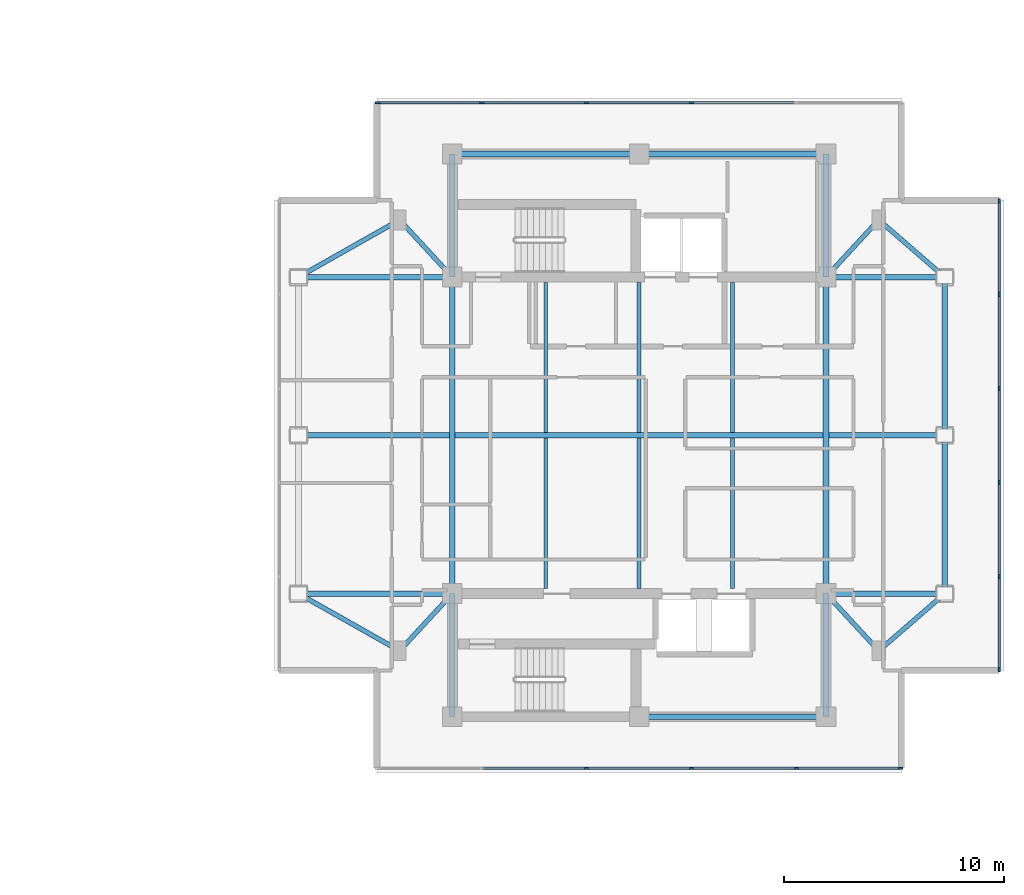
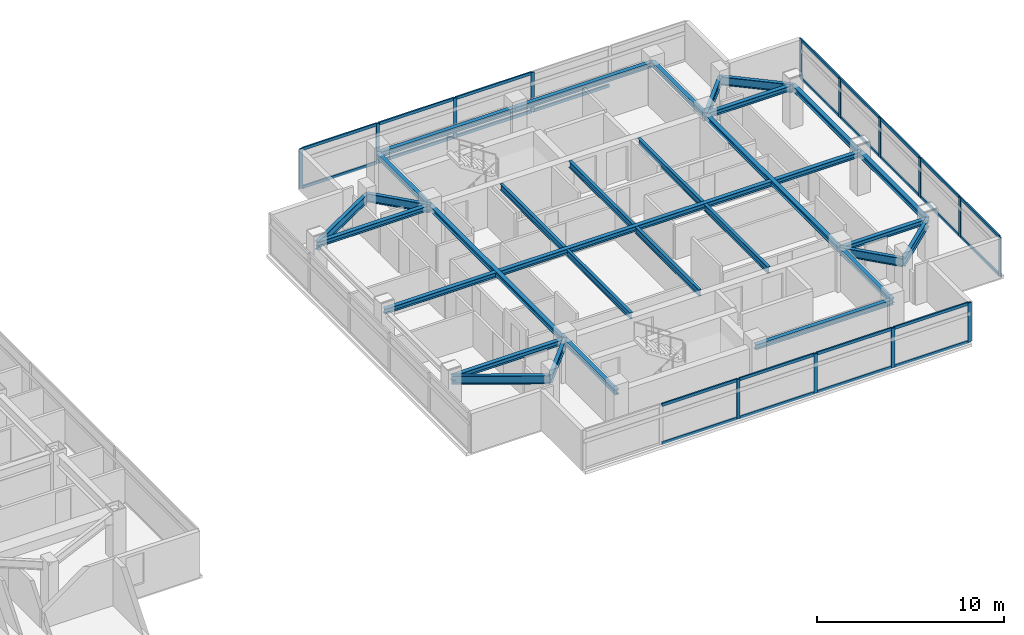
# One storey, part 8 of 21: 39 members, 32 beams, 3 elements without a shape of their own.
"""IFC4 building model written with IfcOpenShell, lengths in metres."""

from ifc_helpers import new_model, si_unit, direction, frame, origin, origin_2d, place, context, subcontext, project, spatial, rectangle, i_section, extrude, material, material_profile, profile_set, type_object, element, aggregate, save


model = new_model("IFC4")

# Units and contexts
model_context = context("Model", 3, precision=1e-05, world=origin(), true_north=direction((0.0, 1.0)))
body_context = subcontext(model_context, "Body", "Model", "MODEL_VIEW")
ifc_project = project(units=[si_unit("LENGTHUNIT", "METRE"), si_unit("AREAUNIT", "SQUARE_METRE"), si_unit("VOLUMEUNIT", "CUBIC_METRE"), si_unit("PLANEANGLEUNIT", "RADIAN"), si_unit("MASSUNIT", "GRAM", prefix="KILO")], contexts=[model_context])

# Site, building, storey
site_placement = place(None, origin())
site = spatial("IfcSite", under=ifc_project, at=site_placement, CompositionType="ELEMENT")
building_placement = place(site_placement, origin())
building = spatial("IfcBuilding", under=site, at=building_placement, Name="Mirazonda Arch Towers", CompositionType="ELEMENT")
storey_placement = place(building_placement, frame((0.0, 0.0, 206.39990234375)))
storey = spatial("IfcBuildingStorey", under=building, at=storey_placement, Name="L59", CompositionType="ELEMENT", Elevation=206.39990234375)

# Beams
ifc_material_1 = material(Name="Steel ASTM A992 Grade 50", Category="steel")
ifc_material_profile_1 = material_profile(ifc_material_1, i_section(OverallWidth=0.257080078125, OverallDepth=0.330078125, WebThickness=0.011962890625, FlangeThickness=0.01953125, at=origin_2d()), Name="W10X68")
ifc_profile_set_1 = profile_set([ifc_material_profile_1], Name="Steel ASTM A992 Grade 50")
beam_type_1 = type_object("IfcBeamType", Name="BM-INT-W10X68", PredefinedType="BEAM", material=ifc_profile_set_1)
beam_1_placement = place(storey_placement, frame((61.0, 35.199951171875, 2.43505859375), z_axis=(1.0, 0.0, 0.0), x_axis=(0.0, 1.0, 0.0)))
element("IfcBeam", 1, at=beam_1_placement, inside=storey, type_object=beam_type_1, Name="L59 Floor Beam CBC-T2-L59-NW", PredefinedType="BEAM", context=body_context, shape_type="SweptSolid", body=[
    extrude(i_section(OverallWidth=0.257080078125, OverallDepth=0.330078125, WebThickness=0.011962890625, FlangeThickness=0.01953125, at=origin_2d()), origin(), (0.0, 0.0, 1.0), 7.0),
])
beam_2_placement = place(storey_placement, frame((85.0, 35.199951171875, 2.43505859375), z_axis=(1.0, 0.0, 0.0), x_axis=(0.0, 1.0, 0.0)))
element("IfcBeam", 2, at=beam_2_placement, inside=storey, type_object=beam_type_1, Name="L59 Floor Beam CBC-T2-L59-NE", PredefinedType="BEAM", context=body_context, shape_type="SweptSolid", body=[
    extrude(i_section(OverallWidth=0.257080078125, OverallDepth=0.330078125, WebThickness=0.011962890625, FlangeThickness=0.01953125, at=origin_2d()), origin(), (0.0, 0.0, 1.0), 5.39990234375),
])
beam_3_placement = place(storey_placement, frame((61.0, 20.800048828125, 2.43505859375), z_axis=(1.0, 0.0, 0.0), x_axis=(0.0, 1.0, 0.0)))
element("IfcBeam", 3, at=beam_3_placement, inside=storey, type_object=beam_type_1, Name="L59 Floor Beam CBC-T2-L59-SW", PredefinedType="BEAM", context=body_context, shape_type="SweptSolid", body=[
    extrude(i_section(OverallWidth=0.257080078125, OverallDepth=0.330078125, WebThickness=0.011962890625, FlangeThickness=0.01953125, at=origin_2d()), origin(), (0.0, 0.0, 1.0), 7.0),
])
beam_4_placement = place(storey_placement, frame((85.0, 20.800048828125, 2.43505859375), z_axis=(1.0, 0.0, 0.0), x_axis=(0.0, 1.0, 0.0)))
element("IfcBeam", 4, at=beam_4_placement, inside=storey, type_object=beam_type_1, Name="L59 Floor Beam CBC-T2-L59-SE", PredefinedType="BEAM", context=body_context, shape_type="SweptSolid", body=[
    extrude(i_section(OverallWidth=0.257080078125, OverallDepth=0.330078125, WebThickness=0.011962890625, FlangeThickness=0.01953125, at=origin_2d()), origin(), (0.0, 0.0, 1.0), 5.39990234375),
])
beam_5_placement = place(storey_placement, frame((68.12841796875, 28.0, 2.43505859375), z_axis=(1.0, 0.0, 0.0), x_axis=(0.0, 1.0, 0.0)))
element("IfcBeam", 5, at=beam_5_placement, inside=storey, type_object=beam_type_1, Name="L59 Floor Beam BMT-T2-L59-GC2", PredefinedType="BEAM", context=body_context, shape_type="SweptSolid", body=[
    extrude(i_section(OverallWidth=0.257080078125, OverallDepth=0.330078125, WebThickness=0.011962890625, FlangeThickness=0.01953125, at=origin_2d()), origin(), (0.0, 0.0, 1.0), 16.7431640625),
])
for number, where, z_axis, x_axis, name in (
    (6, (76.5, 15.199951171875, 2.43505859375), (1.0, 0.0, 0.0), (0.0, 1.0, 0.0), "L59 Floor Beam BMT-T2-L59-CS2"),
    (7, (68.0, 40.800048828125, 2.43505859375), (1.0, 0.0, 0.0), (0.0, 1.0, 0.0), "L59 Floor Beam BMT-T2-L59-CN1"),
    (8, (76.5, 40.800048828125, 2.43505859375), (1.0, 0.0, 0.0), (0.0, 1.0, 0.0), "L59 Floor Beam BMT-T2-L59-CN2"),
):
    element("IfcBeam", number, at=place(storey_placement, frame(where, z_axis=z_axis, x_axis=x_axis)), inside=storey, type_object=beam_type_1, Name=name, PredefinedType="BEAM", context=body_context, shape_type="SweptSolid", body=[
        extrude(i_section(OverallWidth=0.257080078125, OverallDepth=0.330078125, WebThickness=0.011962890625, FlangeThickness=0.01953125, at=origin_2d()), origin(), (0.0, 0.0, 1.0), 8.5),
    ])
for number, where, z_axis, x_axis, name in (
    (9, (68.0, 15.199951171875, 2.43505859375), (0.0, 1.0, 0.0), (-1.0, 0.0, 0.0), "L59 Floor Beam BMT-T2-L59-CSW"),
    (10, (85.0, 15.199951171875, 2.43505859375), (0.0, 1.0, 0.0), (-1.0, 0.0, 0.0), "L59 Floor Beam BMT-T2-L59-CSE"),
    (11, (68.0, 35.199951171875, 2.43505859375), (0.0, 1.0, 0.0), (-1.0, 0.0, 0.0), "L59 Floor Beam BMT-T2-L59-CNW"),
    (12, (85.0, 35.199951171875, 2.43505859375), (0.0, 1.0, 0.0), (-1.0, 0.0, 0.0), "L59 Floor Beam BMT-T2-L59-CNE"),
):
    element("IfcBeam", number, at=place(storey_placement, frame(where, z_axis=z_axis, x_axis=x_axis)), inside=storey, type_object=beam_type_1, Name=name, PredefinedType="BEAM", context=body_context, shape_type="SweptSolid", body=[
        extrude(i_section(OverallWidth=0.257080078125, OverallDepth=0.330078125, WebThickness=0.011962890625, FlangeThickness=0.01953125, at=origin_2d()), origin(), (0.0, 0.0, 1.0), 5.60009765625),
    ])
beam_6_placement = place(storey_placement, frame((61.0, 28.0, 2.43505859375), z_axis=(1.0, 0.0, 0.0), x_axis=(0.0, 1.0, 0.0)))
element("IfcBeam", 13, at=beam_6_placement, inside=storey, type_object=beam_type_1, Name="L59 Floor Beam BMT-T2-L59-GW2", PredefinedType="BEAM", context=body_context, shape_type="SweptSolid", body=[
    extrude(i_section(OverallWidth=0.257080078125, OverallDepth=0.330078125, WebThickness=0.011962890625, FlangeThickness=0.01953125, at=origin_2d()), origin(), (0.0, 0.0, 1.0), 6.87158203125),
])
beam_7_placement = place(storey_placement, frame((85.12841796875, 28.0, 2.43505859375), z_axis=(1.0, 0.0, 0.0), x_axis=(0.0, 1.0, 0.0)))
element("IfcBeam", 14, at=beam_7_placement, inside=storey, type_object=beam_type_1, Name="L59 Floor Beam BMT-T2-L59-GE2", PredefinedType="BEAM", context=body_context, shape_type="SweptSolid", body=[
    extrude(i_section(OverallWidth=0.257080078125, OverallDepth=0.330078125, WebThickness=0.011962890625, FlangeThickness=0.01953125, at=origin_2d()), origin(), (0.0, 0.0, 1.0), 5.271484375),
])
for number, where, z_axis, x_axis, name in (
    (15, (90.39990234375, 20.800048828125, 2.43505859375), (0.0, 1.0, 0.0), (-1.0, 0.0, 0.0), "L59 Floor Beam BMT-T2-L59-NS-E-20"),
    (16, (90.39990234375, 28.0, 2.43505859375), (0.0, 1.0, 0.0), (-1.0, 0.0, 0.0), "L59 Floor Beam BMT-T2-L59-NS-E-28"),
):
    element("IfcBeam", number, at=place(storey_placement, frame(where, z_axis=z_axis, x_axis=x_axis)), inside=storey, type_object=beam_type_1, Name=name, PredefinedType="BEAM", context=body_context, shape_type="SweptSolid", body=[
        extrude(i_section(OverallWidth=0.257080078125, OverallDepth=0.330078125, WebThickness=0.011962890625, FlangeThickness=0.01953125, at=origin_2d()), origin(), (0.0, 0.0, 1.0), 7.199951171875),
    ])
for number, where, z_axis, x_axis, name in (
    (17, (68.0, 20.800048828125, 2.43505859375), (0.0, 1.0, 0.0), (-1.0, 0.0, 0.0), "L59 Floor Beam BMT-T2-L59-NS-CW-FULL"),
    (18, (85.0, 20.800048828125, 2.43505859375), (0.0, 1.0, 0.0), (-1.0, 0.0, 0.0), "L59 Floor Beam BMT-T2-L59-NS-CE-FULL"),
):
    element("IfcBeam", number, at=place(storey_placement, frame(where, z_axis=z_axis, x_axis=x_axis)), inside=storey, type_object=beam_type_1, Name=name, PredefinedType="BEAM", context=body_context, shape_type="SweptSolid", body=[
        extrude(i_section(OverallWidth=0.257080078125, OverallDepth=0.330078125, WebThickness=0.011962890625, FlangeThickness=0.01953125, at=origin_2d()), origin(), (0.0, 0.0, 1.0), 14.39990234375),
    ])
ifc_material_profile_2 = material_profile(ifc_material_1, i_section(OverallWidth=0.180908203125, OverallDepth=0.4169921875, WebThickness=0.010986328125, FlangeThickness=0.018310546875, at=origin_2d()), Name="W16X57")
ifc_profile_set_2 = profile_set([ifc_material_profile_2], Name="Steel ASTM A992 Grade 50")
beam_type_2 = type_object("IfcBeamType", Name="BM-INT-W16X57", PredefinedType="JOIST", material=ifc_profile_set_2)
for number, where, z_axis, x_axis, name in (
    (19, (72.25, 21.0400390625, 2.3916015625), (0.0, 1.0, 0.0), (-1.0, 0.0, 0.0), "L59 Floor Beam BM-T2-L59-J-722-20"),
    (20, (72.25, 28.12451171875, 2.3916015625), (0.0, 1.0, 0.0), (-1.0, 0.0, 0.0), "L59 Floor Beam BM-T2-L59-J-722-28"),
    (21, (76.5, 21.0400390625, 2.3916015625), (0.0, 1.0, 0.0), (-1.0, 0.0, 0.0), "L59 Floor Beam BM-T2-L59-J-765-20"),
    (22, (76.5, 28.12451171875, 2.3916015625), (0.0, 1.0, 0.0), (-1.0, 0.0, 0.0), "L59 Floor Beam BM-T2-L59-J-765-28"),
    (23, (80.75, 21.0400390625, 2.3916015625), (0.0, 1.0, 0.0), (-1.0, 0.0, 0.0), "L59 Floor Beam BM-T2-L59-J-807-20"),
    (24, (80.75, 28.12451171875, 2.3916015625), (0.0, 1.0, 0.0), (-1.0, 0.0, 0.0), "L59 Floor Beam BM-T2-L59-J-807-28"),
):
    element("IfcBeam", number, at=place(storey_placement, frame(where, z_axis=z_axis, x_axis=x_axis)), inside=storey, type_object=beam_type_2, Name=name, PredefinedType="JOIST", context=body_context, shape_type="SweptSolid", body=[
        extrude(i_section(OverallWidth=0.180908203125, OverallDepth=0.4169921875, WebThickness=0.010986328125, FlangeThickness=0.018310546875, at=origin_2d()), origin(), (0.0, 0.0, 1.0), 6.83544921875),
    ])
ifc_material_profile_3 = material_profile(ifc_material_1, i_section(OverallWidth=0.214111328125, OverallDepth=0.549072265625, WebThickness=0.0146484375, FlangeThickness=0.023681640625, at=origin_2d()), Name="W21X93")
ifc_profile_set_3 = profile_set([ifc_material_profile_3], Name="Steel ASTM A992 Grade 50")
beam_type_3 = type_object("IfcBeamType", Name="BM-INT-W21X93", PredefinedType="BEAM", material=ifc_profile_set_3)
beam_8_placement = place(storey_placement, frame((65.60009765625, 18.199951171875, 2.32568359375), z_axis=(0.678251444854, 0.734829897019, 0.0), x_axis=(-0.734829897019, 0.678251444854, 0.0)))
element("IfcBeam", 25, at=beam_8_placement, inside=storey, type_object=beam_type_3, Name="L59 Floor Beam BMT-T2-L59-PL-SW1", PredefinedType="BEAM", context=body_context, shape_type="SweptSolid", body=[
    extrude(i_section(OverallWidth=0.214111328125, OverallDepth=0.549072265625, WebThickness=0.0146484375, FlangeThickness=0.023681640625, at=origin_2d()), origin(), (0.0, 0.0, 1.0), 3.538330078125),
])
beam_9_placement = place(storey_placement, frame((65.60009765625, 18.199951171875, 2.32568359375), z_axis=(-0.870559396632, 0.492063346467, 0.0), x_axis=(-0.492063346467, -0.870559396632, 0.0)))
element("IfcBeam", 26, at=beam_9_placement, inside=storey, type_object=beam_type_3, Name="L59 Floor Beam BMT-T2-L59-PL-SW2", PredefinedType="BEAM", context=body_context, shape_type="SweptSolid", body=[
    extrude(i_section(OverallWidth=0.214111328125, OverallDepth=0.549072265625, WebThickness=0.0146484375, FlangeThickness=0.023681640625, at=origin_2d()), origin(), (0.0, 0.0, 1.0), 5.2841796875),
])
beam_10_placement = place(storey_placement, frame((87.39990234375, 18.199951171875, 2.32568359375), z_axis=(-0.678251444854, 0.734829897019, 0.0), x_axis=(-0.734829897019, -0.678251444854, 0.0)))
element("IfcBeam", 27, at=beam_10_placement, inside=storey, type_object=beam_type_3, Name="L59 Floor Beam BMT-T2-L59-PL-SE1", PredefinedType="BEAM", context=body_context, shape_type="SweptSolid", body=[
    extrude(i_section(OverallWidth=0.214111328125, OverallDepth=0.549072265625, WebThickness=0.0146484375, FlangeThickness=0.023681640625, at=origin_2d()), origin(), (0.0, 0.0, 1.0), 3.538330078125),
])
beam_11_placement = place(storey_placement, frame((87.39990234375, 18.199951171875, 2.32568359375), z_axis=(0.755676908098, 0.654944585876, 0.0), x_axis=(-0.654944585876, 0.755676908098, 0.0)))
element("IfcBeam", 28, at=beam_11_placement, inside=storey, type_object=beam_type_3, Name="L59 Floor Beam BMT-T2-L59-PL-SE2", PredefinedType="BEAM", context=body_context, shape_type="SweptSolid", body=[
    extrude(i_section(OverallWidth=0.214111328125, OverallDepth=0.549072265625, WebThickness=0.0146484375, FlangeThickness=0.023681640625, at=origin_2d()), origin(), (0.0, 0.0, 1.0), 3.969970703125),
])
beam_12_placement = place(storey_placement, frame((65.60009765625, 37.800048828125, 2.32568359375), z_axis=(0.678251444854, -0.734829897019, 0.0), x_axis=(0.734829897019, 0.678251444854, 0.0)))
element("IfcBeam", 29, at=beam_12_placement, inside=storey, type_object=beam_type_3, Name="L59 Floor Beam BMT-T2-L59-PL-NW1", PredefinedType="BEAM", context=body_context, shape_type="SweptSolid", body=[
    extrude(i_section(OverallWidth=0.214111328125, OverallDepth=0.549072265625, WebThickness=0.0146484375, FlangeThickness=0.023681640625, at=origin_2d()), origin(), (0.0, 0.0, 1.0), 3.538330078125),
])
beam_13_placement = place(storey_placement, frame((65.60009765625, 37.800048828125, 2.32568359375), z_axis=(-0.870559396632, -0.492063346467, 0.0), x_axis=(0.492063346467, -0.870559396632, 0.0)))
element("IfcBeam", 30, at=beam_13_placement, inside=storey, type_object=beam_type_3, Name="L59 Floor Beam BMT-T2-L59-PL-NW2", PredefinedType="BEAM", context=body_context, shape_type="SweptSolid", body=[
    extrude(i_section(OverallWidth=0.214111328125, OverallDepth=0.549072265625, WebThickness=0.0146484375, FlangeThickness=0.023681640625, at=origin_2d()), origin(), (0.0, 0.0, 1.0), 5.2841796875),
])
beam_14_placement = place(storey_placement, frame((87.39990234375, 37.800048828125, 2.32568359375), z_axis=(-0.678251444854, -0.734829897019, 0.0), x_axis=(0.734829897019, -0.678251444854, 0.0)))
element("IfcBeam", 31, at=beam_14_placement, inside=storey, type_object=beam_type_3, Name="L59 Floor Beam BMT-T2-L59-PL-NE1", PredefinedType="BEAM", context=body_context, shape_type="SweptSolid", body=[
    extrude(i_section(OverallWidth=0.214111328125, OverallDepth=0.549072265625, WebThickness=0.0146484375, FlangeThickness=0.023681640625, at=origin_2d()), origin(), (0.0, 0.0, 1.0), 3.538330078125),
])
beam_15_placement = place(storey_placement, frame((87.39990234375, 37.800048828125, 2.32568359375), z_axis=(0.755676908098, -0.654944585876, 0.0), x_axis=(0.654944585876, 0.755676908098, 0.0)))
element("IfcBeam", 32, at=beam_15_placement, inside=storey, type_object=beam_type_3, Name="L59 Floor Beam BMT-T2-L59-PL-NE2", PredefinedType="BEAM", context=body_context, shape_type="SweptSolid", body=[
    extrude(i_section(OverallWidth=0.214111328125, OverallDepth=0.549072265625, WebThickness=0.0146484375, FlangeThickness=0.023681640625, at=origin_2d()), origin(), (0.0, 0.0, 1.0), 3.969970703125),
])

# Curtain wall, members
ifc_material_2 = material(Name="Anodised Aluminium and Low-E Glass", Category="aluminium")
curtain_wall_type = type_object("IfcCurtainWallType", Name="CW-OBS-LANTERN", PredefinedType="NOTDEFINED", material=ifc_material_2)
curtain_wall_1_placement = place(storey_placement, origin())
curtain_wall_1 = element("IfcCurtainWall", 33, at=curtain_wall_1_placement, inside=storey, type_object=curtain_wall_type, Name="L59 T2 S Facade CW-L59-T2-S", PredefinedType="NOTDEFINED")
ifc_material_3 = material(Name="Anodised Aluminium Alloy", Category="aluminium")
ifc_material_profile_4 = material_profile(ifc_material_3, rectangle(XDim=0.090087890625, YDim=0.2099609375, at=origin_2d()), Name="ALU-MULL-90x210")
ifc_profile_set_4 = profile_set([ifc_material_profile_4], Name="Anodised Aluminium Alloy")
member_type_1 = type_object("IfcMemberType", Name="MULL-CW-OBS-LANTERN", PredefinedType="MULLION", material=ifc_profile_set_4)
member_1_placement = place(storey_placement, frame((88.392822265625, 12.861572265625, 0.0), z_axis=(0.0, 0.0, 1.0), x_axis=(0.0, -1.0, 0.0)))
member_1 = element("IfcMember", 34, at=member_1_placement, type_object=member_type_1, Name="CW-110 mullion 1", PredefinedType="MULLION", context=body_context, shape_type="SweptSolid", body=[
    extrude(rectangle(XDim=0.090087890625, YDim=0.2099609375, at=origin_2d()), origin(), (0.0, 0.0, 1.0), 2.580078125),
])
member_2_placement = place(storey_placement, frame((83.66259765625, 12.861572265625, 0.0), z_axis=(0.0, 0.0, 1.0), x_axis=(0.0, -1.0, 0.0)))
member_2 = element("IfcMember", 35, at=member_2_placement, type_object=member_type_1, Name="CW-110 mullion 2", PredefinedType="MULLION", context=body_context, shape_type="SweptSolid", body=[
    extrude(rectangle(XDim=0.090087890625, YDim=0.2099609375, at=origin_2d()), origin(), (0.0, 0.0, 1.0), 2.580078125),
])
member_3_placement = place(storey_placement, frame((78.887451171875, 12.861572265625, 0.0), z_axis=(0.0, 0.0, 1.0), x_axis=(0.0, -1.0, 0.0)))
member_3 = element("IfcMember", 36, at=member_3_placement, type_object=member_type_1, Name="CW-110 mullion 3", PredefinedType="MULLION", context=body_context, shape_type="SweptSolid", body=[
    extrude(rectangle(XDim=0.090087890625, YDim=0.2099609375, at=origin_2d()), origin(), (0.0, 0.0, 1.0), 2.580078125),
])
member_4_placement = place(storey_placement, frame((74.112548828125, 12.861572265625, 0.0), z_axis=(0.0, 0.0, 1.0), x_axis=(0.0, -1.0, 0.0)))
member_4 = element("IfcMember", 37, at=member_4_placement, type_object=member_type_1, Name="CW-110 mullion 4", PredefinedType="MULLION", context=body_context, shape_type="SweptSolid", body=[
    extrude(rectangle(XDim=0.090087890625, YDim=0.2099609375, at=origin_2d()), origin(), (0.0, 0.0, 1.0), 2.580078125),
])

curtain_wall_2_placement = place(storey_placement, origin())
curtain_wall_2 = element("IfcCurtainWall", 38, at=curtain_wall_2_placement, inside=storey, type_object=curtain_wall_type, Name="L59 T2 E Facade CW-L59-T2-E", PredefinedType="NOTDEFINED")
member_5_placement = place(storey_placement, frame((92.87744140625, 17.34619140625, 0.0), z_axis=(0.0, 0.0, 1.0), x_axis=(-1.0, 0.0, 0.0)))
member_5 = element("IfcMember", 39, at=member_5_placement, type_object=member_type_1, Name="CW-110 mullion 1", PredefinedType="MULLION", context=body_context, shape_type="SweptSolid", body=[
    extrude(rectangle(XDim=0.090087890625, YDim=0.2099609375, at=origin_2d()), origin(), (0.0, 0.0, 1.0), 2.580078125),
])
member_6_placement = place(storey_placement, frame((92.87744140625, 21.580810546875, 0.0), z_axis=(0.0, 0.0, 1.0), x_axis=(-1.0, 0.0, 0.0)))
member_6 = element("IfcMember", 40, at=member_6_placement, type_object=member_type_1, Name="CW-110 mullion 2", PredefinedType="MULLION", context=body_context, shape_type="SweptSolid", body=[
    extrude(rectangle(XDim=0.090087890625, YDim=0.2099609375, at=origin_2d()), origin(), (0.0, 0.0, 1.0), 2.580078125),
])
member_7_placement = place(storey_placement, frame((92.87744140625, 25.8603515625, 0.0), z_axis=(0.0, 0.0, 1.0), x_axis=(-1.0, 0.0, 0.0)))
member_7 = element("IfcMember", 41, at=member_7_placement, type_object=member_type_1, Name="CW-110 mullion 3", PredefinedType="MULLION", context=body_context, shape_type="SweptSolid", body=[
    extrude(rectangle(XDim=0.090087890625, YDim=0.2099609375, at=origin_2d()), origin(), (0.0, 0.0, 1.0), 2.580078125),
])
member_8_placement = place(storey_placement, frame((92.87744140625, 30.1396484375, 0.0), z_axis=(0.0, 0.0, 1.0), x_axis=(-1.0, 0.0, 0.0)))
member_8 = element("IfcMember", 42, at=member_8_placement, type_object=member_type_1, Name="CW-110 mullion 4", PredefinedType="MULLION", context=body_context, shape_type="SweptSolid", body=[
    extrude(rectangle(XDim=0.090087890625, YDim=0.2099609375, at=origin_2d()), origin(), (0.0, 0.0, 1.0), 2.580078125),
])
member_9_placement = place(storey_placement, frame((92.87744140625, 34.419189453125, 0.0), z_axis=(0.0, 0.0, 1.0), x_axis=(-1.0, 0.0, 0.0)))
member_9 = element("IfcMember", 43, at=member_9_placement, type_object=member_type_1, Name="CW-110 mullion 5", PredefinedType="MULLION", context=body_context, shape_type="SweptSolid", body=[
    extrude(rectangle(XDim=0.090087890625, YDim=0.2099609375, at=origin_2d()), origin(), (0.0, 0.0, 1.0), 2.580078125),
])
member_10_placement = place(storey_placement, frame((92.87744140625, 38.65380859375, 0.0), z_axis=(0.0, 0.0, 1.0), x_axis=(-1.0, 0.0, 0.0)))
member_10 = element("IfcMember", 44, at=member_10_placement, type_object=member_type_1, Name="CW-110 mullion 6", PredefinedType="MULLION", context=body_context, shape_type="SweptSolid", body=[
    extrude(rectangle(XDim=0.090087890625, YDim=0.2099609375, at=origin_2d()), origin(), (0.0, 0.0, 1.0), 2.580078125),
])

curtain_wall_3_placement = place(storey_placement, origin())
curtain_wall_3 = element("IfcCurtainWall", 45, at=curtain_wall_3_placement, inside=storey, type_object=curtain_wall_type, Name="L59 T2 N Facade CW-L59-T2-N", PredefinedType="NOTDEFINED")
member_11_placement = place(storey_placement, frame((64.607177734375, 43.138427734375, 0.0), z_axis=(0.0, 0.0, 1.0), x_axis=(0.0, 1.0, 0.0)))
member_11 = element("IfcMember", 46, at=member_11_placement, type_object=member_type_1, Name="CW-110 mullion 1", PredefinedType="MULLION", context=body_context, shape_type="SweptSolid", body=[
    extrude(rectangle(XDim=0.090087890625, YDim=0.2099609375, at=origin_2d()), origin(), (0.0, 0.0, 1.0), 2.580078125),
])
member_12_placement = place(storey_placement, frame((69.33740234375, 43.138427734375, 0.0), z_axis=(0.0, 0.0, 1.0), x_axis=(0.0, 1.0, 0.0)))
member_12 = element("IfcMember", 47, at=member_12_placement, type_object=member_type_1, Name="CW-110 mullion 2", PredefinedType="MULLION", context=body_context, shape_type="SweptSolid", body=[
    extrude(rectangle(XDim=0.090087890625, YDim=0.2099609375, at=origin_2d()), origin(), (0.0, 0.0, 1.0), 2.580078125),
])
member_13_placement = place(storey_placement, frame((74.112548828125, 43.138427734375, 0.0), z_axis=(0.0, 0.0, 1.0), x_axis=(0.0, 1.0, 0.0)))
member_13 = element("IfcMember", 48, at=member_13_placement, type_object=member_type_1, Name="CW-110 mullion 3", PredefinedType="MULLION", context=body_context, shape_type="SweptSolid", body=[
    extrude(rectangle(XDim=0.090087890625, YDim=0.2099609375, at=origin_2d()), origin(), (0.0, 0.0, 1.0), 2.580078125),
])
member_14_placement = place(storey_placement, frame((78.887451171875, 43.138427734375, 0.0), z_axis=(0.0, 0.0, 1.0), x_axis=(0.0, 1.0, 0.0)))
member_14 = element("IfcMember", 49, at=member_14_placement, type_object=member_type_1, Name="CW-110 mullion 4", PredefinedType="MULLION", context=body_context, shape_type="SweptSolid", body=[
    extrude(rectangle(XDim=0.090087890625, YDim=0.2099609375, at=origin_2d()), origin(), (0.0, 0.0, 1.0), 2.580078125),
])

# Member
ifc_material_profile_5 = material_profile(ifc_material_3, rectangle(XDim=0.090087890625, YDim=0.18994140625, at=origin_2d()), Name="ALU-TRAN-90x190")
ifc_profile_set_5 = profile_set([ifc_material_profile_5], Name="Anodised Aluminium Alloy")
member_type_2 = type_object("IfcMemberType", Name="TRAN-CW-OBS-LANTERN", PredefinedType="USERDEFINED", material=ifc_profile_set_5)
member_15_placement = place(storey_placement, frame((88.347900390625, 12.861572265625, 0.045166015625), z_axis=(-1.0, 0.0, 0.0), x_axis=(0.0, -1.0, 0.0)))
member_15 = element("IfcMember", 50, at=member_15_placement, type_object=member_type_2, Name="CW-110 transom 1.1", ObjectType="TRANSOM", PredefinedType="USERDEFINED", context=body_context, shape_type="SweptSolid", body=[
    extrude(rectangle(XDim=0.090087890625, YDim=0.18994140625, at=origin_2d()), origin(), (0.0, 0.0, 1.0), 4.64013671875),
])

member_16_placement = place(storey_placement, frame((88.347900390625, 12.861572265625, 2.53515625), z_axis=(-1.0, 0.0, 0.0), x_axis=(0.0, -1.0, 0.0)))
member_16 = element("IfcMember", 51, at=member_16_placement, type_object=member_type_2, Name="CW-110 transom 1.2", ObjectType="TRANSOM", PredefinedType="USERDEFINED", context=body_context, shape_type="SweptSolid", body=[
    extrude(rectangle(XDim=0.090087890625, YDim=0.18994140625, at=origin_2d()), origin(), (0.0, 0.0, 1.0), 4.64013671875),
])

member_17_placement = place(storey_placement, frame((83.61767578125, 12.861572265625, 0.045166015625), z_axis=(-1.0, 0.0, 0.0), x_axis=(0.0, -1.0, 0.0)))
member_17 = element("IfcMember", 52, at=member_17_placement, type_object=member_type_2, Name="CW-110 transom 2.1", ObjectType="TRANSOM", PredefinedType="USERDEFINED", context=body_context, shape_type="SweptSolid", body=[
    extrude(rectangle(XDim=0.090087890625, YDim=0.18994140625, at=origin_2d()), origin(), (0.0, 0.0, 1.0), 4.68505859375),
])

member_18_placement = place(storey_placement, frame((83.61767578125, 12.861572265625, 2.53515625), z_axis=(-1.0, 0.0, 0.0), x_axis=(0.0, -1.0, 0.0)))
member_18 = element("IfcMember", 53, at=member_18_placement, type_object=member_type_2, Name="CW-110 transom 2.2", ObjectType="TRANSOM", PredefinedType="USERDEFINED", context=body_context, shape_type="SweptSolid", body=[
    extrude(rectangle(XDim=0.090087890625, YDim=0.18994140625, at=origin_2d()), origin(), (0.0, 0.0, 1.0), 4.68505859375),
])

member_19_placement = place(storey_placement, frame((78.842529296875, 12.861572265625, 0.045166015625), z_axis=(-1.0, 0.0, 0.0), x_axis=(0.0, -1.0, 0.0)))
member_19 = element("IfcMember", 54, at=member_19_placement, type_object=member_type_2, Name="CW-110 transom 3.1", ObjectType="TRANSOM", PredefinedType="USERDEFINED", context=body_context, shape_type="SweptSolid", body=[
    extrude(rectangle(XDim=0.090087890625, YDim=0.18994140625, at=origin_2d()), origin(), (0.0, 0.0, 1.0), 4.68505859375),
])

member_20_placement = place(storey_placement, frame((78.842529296875, 12.861572265625, 2.53515625), z_axis=(-1.0, 0.0, 0.0), x_axis=(0.0, -1.0, 0.0)))
member_20 = element("IfcMember", 55, at=member_20_placement, type_object=member_type_2, Name="CW-110 transom 3.2", ObjectType="TRANSOM", PredefinedType="USERDEFINED", context=body_context, shape_type="SweptSolid", body=[
    extrude(rectangle(XDim=0.090087890625, YDim=0.18994140625, at=origin_2d()), origin(), (0.0, 0.0, 1.0), 4.68505859375),
])

member_21_placement = place(storey_placement, frame((74.0673828125, 12.861572265625, 0.045166015625), z_axis=(-1.0, 0.0, 0.0), x_axis=(0.0, -1.0, 0.0)))
member_21 = element("IfcMember", 56, at=member_21_placement, type_object=member_type_2, Name="CW-110 transom 4.1", ObjectType="TRANSOM", PredefinedType="USERDEFINED", context=body_context, shape_type="SweptSolid", body=[
    extrude(rectangle(XDim=0.090087890625, YDim=0.18994140625, at=origin_2d()), origin(), (0.0, 0.0, 1.0), 4.68505859375),
])

member_22_placement = place(storey_placement, frame((74.0673828125, 12.861572265625, 2.53515625), z_axis=(-1.0, 0.0, 0.0), x_axis=(0.0, -1.0, 0.0)))
member_22 = element("IfcMember", 57, at=member_22_placement, type_object=member_type_2, Name="CW-110 transom 4.2", ObjectType="TRANSOM", PredefinedType="USERDEFINED", context=body_context, shape_type="SweptSolid", body=[
    extrude(rectangle(XDim=0.090087890625, YDim=0.18994140625, at=origin_2d()), origin(), (0.0, 0.0, 1.0), 4.68505859375),
])

aggregate(curtain_wall_1, [member_1, member_2, member_3, member_4, member_15, member_16, member_17, member_18, member_19, member_20, member_21, member_22])

member_23_placement = place(storey_placement, frame((92.87744140625, 17.39111328125, 0.045166015625), z_axis=(0.0, 1.0, 0.0), x_axis=(-1.0, 0.0, 0.0)))
member_23 = element("IfcMember", 58, at=member_23_placement, type_object=member_type_2, Name="CW-110 transom 1.1", ObjectType="TRANSOM", PredefinedType="USERDEFINED", context=body_context, shape_type="SweptSolid", body=[
    extrude(rectangle(XDim=0.090087890625, YDim=0.18994140625, at=origin_2d()), origin(), (0.0, 0.0, 1.0), 4.14453125),
])

member_24_placement = place(storey_placement, frame((92.87744140625, 17.39111328125, 2.53515625), z_axis=(0.0, 1.0, 0.0), x_axis=(-1.0, 0.0, 0.0)))
member_24 = element("IfcMember", 59, at=member_24_placement, type_object=member_type_2, Name="CW-110 transom 1.2", ObjectType="TRANSOM", PredefinedType="USERDEFINED", context=body_context, shape_type="SweptSolid", body=[
    extrude(rectangle(XDim=0.090087890625, YDim=0.18994140625, at=origin_2d()), origin(), (0.0, 0.0, 1.0), 4.14453125),
])

member_25_placement = place(storey_placement, frame((92.87744140625, 21.625732421875, 0.045166015625), z_axis=(0.0, 1.0, 0.0), x_axis=(-1.0, 0.0, 0.0)))
member_25 = element("IfcMember", 60, at=member_25_placement, type_object=member_type_2, Name="CW-110 transom 2.1", ObjectType="TRANSOM", PredefinedType="USERDEFINED", context=body_context, shape_type="SweptSolid", body=[
    extrude(rectangle(XDim=0.090087890625, YDim=0.18994140625, at=origin_2d()), origin(), (0.0, 0.0, 1.0), 4.189453125),
])

member_26_placement = place(storey_placement, frame((92.87744140625, 21.625732421875, 2.53515625), z_axis=(0.0, 1.0, 0.0), x_axis=(-1.0, 0.0, 0.0)))
member_26 = element("IfcMember", 61, at=member_26_placement, type_object=member_type_2, Name="CW-110 transom 2.2", ObjectType="TRANSOM", PredefinedType="USERDEFINED", context=body_context, shape_type="SweptSolid", body=[
    extrude(rectangle(XDim=0.090087890625, YDim=0.18994140625, at=origin_2d()), origin(), (0.0, 0.0, 1.0), 4.189453125),
])

member_27_placement = place(storey_placement, frame((92.87744140625, 25.9052734375, 0.045166015625), z_axis=(0.0, 1.0, 0.0), x_axis=(-1.0, 0.0, 0.0)))
member_27 = element("IfcMember", 62, at=member_27_placement, type_object=member_type_2, Name="CW-110 transom 3.1", ObjectType="TRANSOM", PredefinedType="USERDEFINED", context=body_context, shape_type="SweptSolid", body=[
    extrude(rectangle(XDim=0.090087890625, YDim=0.18994140625, at=origin_2d()), origin(), (0.0, 0.0, 1.0), 4.189453125),
])

member_28_placement = place(storey_placement, frame((92.87744140625, 25.9052734375, 2.53515625), z_axis=(0.0, 1.0, 0.0), x_axis=(-1.0, 0.0, 0.0)))
member_28 = element("IfcMember", 63, at=member_28_placement, type_object=member_type_2, Name="CW-110 transom 3.2", ObjectType="TRANSOM", PredefinedType="USERDEFINED", context=body_context, shape_type="SweptSolid", body=[
    extrude(rectangle(XDim=0.090087890625, YDim=0.18994140625, at=origin_2d()), origin(), (0.0, 0.0, 1.0), 4.189453125),
])

member_29_placement = place(storey_placement, frame((92.87744140625, 30.184814453125, 0.045166015625), z_axis=(0.0, 1.0, 0.0), x_axis=(-1.0, 0.0, 0.0)))
member_29 = element("IfcMember", 64, at=member_29_placement, type_object=member_type_2, Name="CW-110 transom 4.1", ObjectType="TRANSOM", PredefinedType="USERDEFINED", context=body_context, shape_type="SweptSolid", body=[
    extrude(rectangle(XDim=0.090087890625, YDim=0.18994140625, at=origin_2d()), origin(), (0.0, 0.0, 1.0), 4.189453125),
])

member_30_placement = place(storey_placement, frame((92.87744140625, 30.184814453125, 2.53515625), z_axis=(0.0, 1.0, 0.0), x_axis=(-1.0, 0.0, 0.0)))
member_30 = element("IfcMember", 65, at=member_30_placement, type_object=member_type_2, Name="CW-110 transom 4.2", ObjectType="TRANSOM", PredefinedType="USERDEFINED", context=body_context, shape_type="SweptSolid", body=[
    extrude(rectangle(XDim=0.090087890625, YDim=0.18994140625, at=origin_2d()), origin(), (0.0, 0.0, 1.0), 4.189453125),
])

member_31_placement = place(storey_placement, frame((92.87744140625, 34.46435546875, 0.045166015625), z_axis=(0.0, 1.0, 0.0), x_axis=(-1.0, 0.0, 0.0)))
member_31 = element("IfcMember", 66, at=member_31_placement, type_object=member_type_2, Name="CW-110 transom 5.1", ObjectType="TRANSOM", PredefinedType="USERDEFINED", context=body_context, shape_type="SweptSolid", body=[
    extrude(rectangle(XDim=0.090087890625, YDim=0.18994140625, at=origin_2d()), origin(), (0.0, 0.0, 1.0), 4.14453125),
])

member_32_placement = place(storey_placement, frame((92.87744140625, 34.46435546875, 2.53515625), z_axis=(0.0, 1.0, 0.0), x_axis=(-1.0, 0.0, 0.0)))
member_32 = element("IfcMember", 67, at=member_32_placement, type_object=member_type_2, Name="CW-110 transom 5.2", ObjectType="TRANSOM", PredefinedType="USERDEFINED", context=body_context, shape_type="SweptSolid", body=[
    extrude(rectangle(XDim=0.090087890625, YDim=0.18994140625, at=origin_2d()), origin(), (0.0, 0.0, 1.0), 4.14453125),
])

aggregate(curtain_wall_2, [member_5, member_6, member_7, member_8, member_9, member_10, member_23, member_24, member_25, member_26, member_27, member_28, member_29, member_30, member_31, member_32])

member_33_placement = place(storey_placement, frame((64.652099609375, 43.138427734375, 0.045166015625), z_axis=(1.0, 0.0, 0.0), x_axis=(0.0, 1.0, 0.0)))
member_33 = element("IfcMember", 68, at=member_33_placement, type_object=member_type_2, Name="CW-110 transom 1.1", ObjectType="TRANSOM", PredefinedType="USERDEFINED", context=body_context, shape_type="SweptSolid", body=[
    extrude(rectangle(XDim=0.090087890625, YDim=0.18994140625, at=origin_2d()), origin(), (0.0, 0.0, 1.0), 4.64013671875),
])

member_34_placement = place(storey_placement, frame((64.652099609375, 43.138427734375, 2.53515625), z_axis=(1.0, 0.0, 0.0), x_axis=(0.0, 1.0, 0.0)))
member_34 = element("IfcMember", 69, at=member_34_placement, type_object=member_type_2, Name="CW-110 transom 1.2", ObjectType="TRANSOM", PredefinedType="USERDEFINED", context=body_context, shape_type="SweptSolid", body=[
    extrude(rectangle(XDim=0.090087890625, YDim=0.18994140625, at=origin_2d()), origin(), (0.0, 0.0, 1.0), 4.64013671875),
])

member_35_placement = place(storey_placement, frame((69.38232421875, 43.138427734375, 0.045166015625), z_axis=(1.0, 0.0, 0.0), x_axis=(0.0, 1.0, 0.0)))
member_35 = element("IfcMember", 70, at=member_35_placement, type_object=member_type_2, Name="CW-110 transom 2.1", ObjectType="TRANSOM", PredefinedType="USERDEFINED", context=body_context, shape_type="SweptSolid", body=[
    extrude(rectangle(XDim=0.090087890625, YDim=0.18994140625, at=origin_2d()), origin(), (0.0, 0.0, 1.0), 4.68505859375),
])

member_36_placement = place(storey_placement, frame((69.38232421875, 43.138427734375, 2.53515625), z_axis=(1.0, 0.0, 0.0), x_axis=(0.0, 1.0, 0.0)))
member_36 = element("IfcMember", 71, at=member_36_placement, type_object=member_type_2, Name="CW-110 transom 2.2", ObjectType="TRANSOM", PredefinedType="USERDEFINED", context=body_context, shape_type="SweptSolid", body=[
    extrude(rectangle(XDim=0.090087890625, YDim=0.18994140625, at=origin_2d()), origin(), (0.0, 0.0, 1.0), 4.68505859375),
])

member_37_placement = place(storey_placement, frame((74.157470703125, 43.138427734375, 0.045166015625), z_axis=(1.0, 0.0, 0.0), x_axis=(0.0, 1.0, 0.0)))
member_37 = element("IfcMember", 72, at=member_37_placement, type_object=member_type_2, Name="CW-110 transom 3.1", ObjectType="TRANSOM", PredefinedType="USERDEFINED", context=body_context, shape_type="SweptSolid", body=[
    extrude(rectangle(XDim=0.090087890625, YDim=0.18994140625, at=origin_2d()), origin(), (0.0, 0.0, 1.0), 4.68505859375),
])

member_38_placement = place(storey_placement, frame((74.157470703125, 43.138427734375, 2.53515625), z_axis=(1.0, 0.0, 0.0), x_axis=(0.0, 1.0, 0.0)))
member_38 = element("IfcMember", 73, at=member_38_placement, type_object=member_type_2, Name="CW-110 transom 3.2", ObjectType="TRANSOM", PredefinedType="USERDEFINED", context=body_context, shape_type="SweptSolid", body=[
    extrude(rectangle(XDim=0.090087890625, YDim=0.18994140625, at=origin_2d()), origin(), (0.0, 0.0, 1.0), 4.68505859375),
])

member_39_placement = place(storey_placement, frame((78.9326171875, 43.138427734375, 0.045166015625), z_axis=(1.0, 0.0, 0.0), x_axis=(0.0, 1.0, 0.0)))
member_39 = element("IfcMember", 74, at=member_39_placement, type_object=member_type_2, Name="CW-110 transom 4.1", ObjectType="TRANSOM", PredefinedType="USERDEFINED", context=body_context, shape_type="SweptSolid", body=[
    extrude(rectangle(XDim=0.090087890625, YDim=0.18994140625, at=origin_2d()), origin(), (0.0, 0.0, 1.0), 4.68505859375),
])

aggregate(curtain_wall_3, [member_11, member_12, member_13, member_14, member_33, member_34, member_35, member_36, member_37, member_38, member_39])

save(model, "model.ifc")
